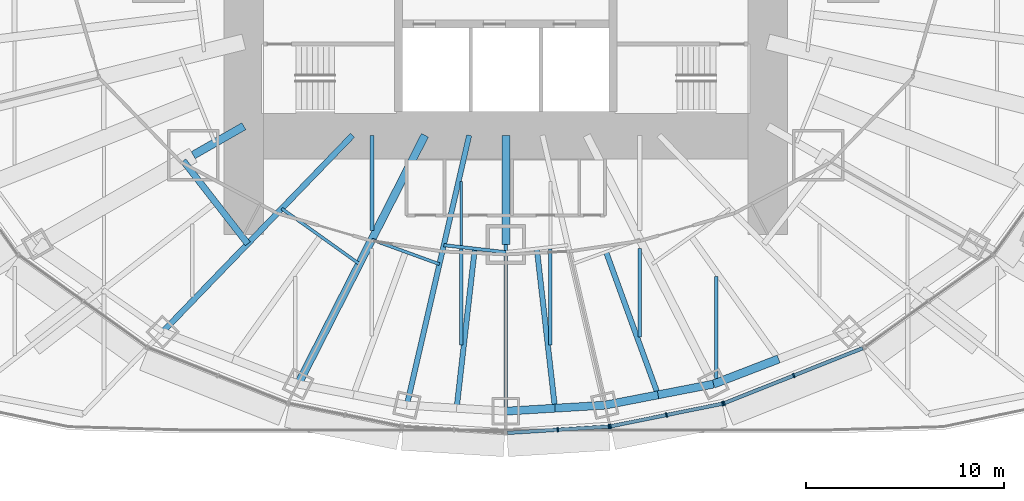
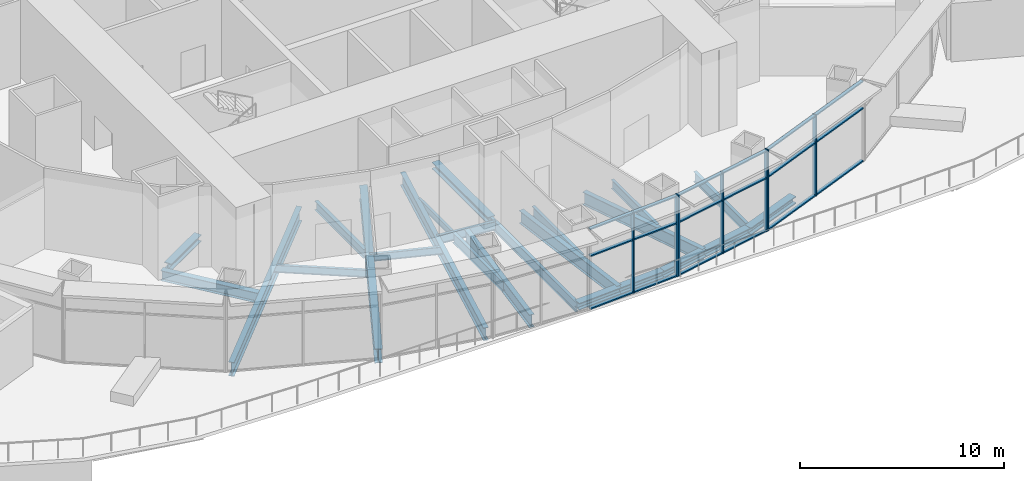
# One storey, part 4 of 25: 25 members, 24 beams, 3 elements without a shape of their own.
"""IFC4 building model written with IfcOpenShell, lengths in metres."""

from ifc_helpers import new_model, si_unit, direction, frame, origin, origin_2d, place, context, subcontext, project, spatial, rectangle, i_section, extrude, material, material_profile, profile_set, type_object, element, aggregate, save


model = new_model("IFC4")

# Units and contexts
model_context = context("Model", 3, precision=1e-05, world=origin(), true_north=direction((0.0, 1.0)))
body_context = subcontext(model_context, "Body", "Model", "MODEL_VIEW")
ifc_project = project(units=[si_unit("LENGTHUNIT", "METRE"), si_unit("AREAUNIT", "SQUARE_METRE"), si_unit("VOLUMEUNIT", "CUBIC_METRE"), si_unit("PLANEANGLEUNIT", "RADIAN"), si_unit("MASSUNIT", "GRAM", prefix="KILO")], contexts=[model_context])

# Site, building, storey
site_placement = place(None, origin())
site = spatial("IfcSite", under=ifc_project, at=site_placement, CompositionType="ELEMENT")
building_placement = place(site_placement, origin())
building = spatial("IfcBuilding", under=site, at=building_placement, Name="Lantaw Convention Tower", CompositionType="ELEMENT")
storey_placement = place(building_placement, frame((0.0, 0.0, 32.0)))
storey = spatial("IfcBuildingStorey", under=building, at=storey_placement, Name="L05", CompositionType="ELEMENT", Elevation=32.0)

# Beams
ifc_material_1 = material(Name="Steel ASTM A992", Category="steel")
ifc_material_profile_1 = material_profile(ifc_material_1, i_section(OverallWidth=0.40380859375, OverallDepth=0.406494140625, WebThickness=0.027099609375, FlangeThickness=0.043701171875, FilletRadius=0.01513671875, at=origin_2d()), Name="W14X233")
ifc_profile_set_1 = profile_set([ifc_material_profile_1], Name="Steel ASTM A992")
beam_type_1 = type_object("IfcBeamType", Name="Beam E W14X233", PredefinedType="SPANDREL", material=ifc_profile_set_1)
beam_1_placement = place(storey_placement, frame((0.0, -21.89990234375, -0.4033203125), z_axis=(0.998175328335, 0.060382231685, 0.0), x_axis=(-0.060382231685, 0.998175328335, 0.0)))
element("IfcBeam", 1, at=beam_1_placement, inside=storey, type_object=beam_type_1, Name="Edge beam 19", PredefinedType="SPANDREL", context=body_context, shape_type="SweptSolid", body=[
    extrude(i_section(OverallWidth=0.40380859375, OverallDepth=0.406494140625, WebThickness=0.027099609375, FlangeThickness=0.043701171875, FilletRadius=0.01513671875, at=origin_2d()), origin(), (0.0, 0.0, 1.0), 2.482666015625),
])
beam_2_placement = place(storey_placement, frame((2.47802734375, -21.75, -0.4033203125), z_axis=(0.998172405641, 0.060430527186, 0.0), x_axis=(-0.060430527186, 0.998172405641, 0.0)))
element("IfcBeam", 2, at=beam_2_placement, inside=storey, type_object=beam_type_1, Name="Edge beam 19", PredefinedType="SPANDREL", context=body_context, shape_type="SweptSolid", body=[
    extrude(i_section(OverallWidth=0.40380859375, OverallDepth=0.406494140625, WebThickness=0.027099609375, FlangeThickness=0.043701171875, FilletRadius=0.01513671875, at=origin_2d()), origin(), (0.0, 0.0, 1.0), 2.512939453125),
])
beam_3_placement = place(storey_placement, frame((4.986328125, -21.59814453125, -0.4033203125), z_axis=(0.981637218105, 0.190757364289, 0.0), x_axis=(-0.190757364289, 0.981637218105, 0.0)))
element("IfcBeam", 3, at=beam_3_placement, inside=storey, type_object=beam_type_1, Name="Edge beam 20", PredefinedType="SPANDREL", context=body_context, shape_type="SweptSolid", body=[
    extrude(i_section(OverallWidth=0.40380859375, OverallDepth=0.406494140625, WebThickness=0.027099609375, FlangeThickness=0.043701171875, FilletRadius=0.01513671875, at=origin_2d()), origin(), (0.0, 0.0, 1.0), 2.735107421875),
])
beam_4_placement = place(storey_placement, frame((7.671142578125, -21.076416015625, -0.4033203125), z_axis=(0.98163593748, 0.190763954266, 0.0), x_axis=(-0.190763954266, 0.98163593748, 0.0)))
element("IfcBeam", 4, at=beam_4_placement, inside=storey, type_object=beam_type_1, Name="Edge beam 20", PredefinedType="SPANDREL", context=body_context, shape_type="SweptSolid", body=[
    extrude(i_section(OverallWidth=0.40380859375, OverallDepth=0.406494140625, WebThickness=0.027099609375, FlangeThickness=0.043701171875, FilletRadius=0.01513671875, at=origin_2d()), origin(), (0.0, 0.0, 1.0), 2.84375),
])
ifc_material_profile_2 = material_profile(ifc_material_1, i_section(OverallWidth=0.41650390625, OverallDepth=0.444580078125, WebThickness=0.0390625, FlangeThickness=0.062744140625, FilletRadius=0.01513671875, at=origin_2d()), Name="W14X342")
ifc_profile_set_2 = profile_set([ifc_material_profile_2], Name="Steel ASTM A992")
beam_type_2 = type_object("IfcBeamType", Name="Beam E W14X342", PredefinedType="SPANDREL", material=ifc_profile_set_2)
beam_5_placement = place(storey_placement, frame((10.462646484375, -20.533935546875, -0.42236328125), z_axis=(0.933241815012, 0.359248820058, 0.0), x_axis=(-0.359248820058, 0.933241815012, 0.0)))
element("IfcBeam", 5, at=beam_5_placement, inside=storey, type_object=beam_type_2, Name="Edge beam 21", PredefinedType="SPANDREL", context=body_context, shape_type="SweptSolid", body=[
    extrude(i_section(OverallWidth=0.41650390625, OverallDepth=0.444580078125, WebThickness=0.0390625, FlangeThickness=0.062744140625, FilletRadius=0.01513671875, at=origin_2d()), origin(), (0.0, 0.0, 1.0), 3.517578125),
])
ifc_material_profile_3 = material_profile(ifc_material_1, i_section(OverallWidth=0.177978515625, OverallDepth=0.599365234375, WebThickness=0.010009765625, FlangeThickness=0.012939453125, FilletRadius=0.012939453125, at=origin_2d()), Name="W24X55")
ifc_profile_set_3 = profile_set([ifc_material_profile_3], Name="Steel ASTM A992")
beam_type_3 = type_object("IfcBeamType", Name="Beam G W24X55", PredefinedType="BEAM", material=ifc_profile_set_3)
beam_6_placement = place(storey_placement, frame((0.0, -13.5, -0.499755859375), z_axis=(0.0, -1.0, 0.0), x_axis=(1.0, 0.0, 0.0)))
element("IfcBeam", 6, at=beam_6_placement, inside=storey, type_object=beam_type_3, Name="Floor girder on ray 19", PredefinedType="BEAM", context=body_context, shape_type="SweptSolid", body=[
    extrude(i_section(OverallWidth=0.177978515625, OverallDepth=0.599365234375, WebThickness=0.010009765625, FlangeThickness=0.012939453125, FilletRadius=0.012939453125, at=origin_2d()), origin(), (0.0, 0.0, 1.0), 8.39990234375),
])
ifc_material_profile_4 = material_profile(ifc_material_1, i_section(OverallWidth=0.2666015625, OverallDepth=0.7568359375, WebThickness=0.013916015625, FlangeThickness=0.019287109375, FilletRadius=0.0126953125, at=origin_2d()), Name="W30X108")
ifc_profile_set_4 = profile_set([ifc_material_profile_4], Name="Steel ASTM A992")
beam_type_4 = type_object("IfcBeamType", Name="Beam G W30X108", PredefinedType="BEAM", material=ifc_profile_set_4)
beam_7_placement = place(storey_placement, frame((1.5625, -13.713134765625, -0.578369140625), z_axis=(0.113183957156, -0.993574049501, 0.0), x_axis=(0.993574049501, 0.113183957156, 0.0)))
element("IfcBeam", 7, at=beam_7_placement, inside=storey, type_object=beam_type_4, Name="Floor girder on bisector 19", PredefinedType="BEAM", context=body_context, shape_type="SweptSolid", body=[
    extrude(i_section(OverallWidth=0.2666015625, OverallDepth=0.7568359375, WebThickness=0.013916015625, FlangeThickness=0.019287109375, FilletRadius=0.0126953125, at=origin_2d()), origin(), (0.0, 0.0, 1.0), 8.0888671875),
])
ifc_material_profile_5 = material_profile(ifc_material_1, i_section(OverallWidth=0.2666015625, OverallDepth=0.76953125, WebThickness=0.015625, FlangeThickness=0.025390625, FilletRadius=0.0126953125, at=origin_2d()), Name="W30X132")
ifc_profile_set_5 = profile_set([ifc_material_profile_5], Name="Steel ASTM A992")
beam_type_5 = type_object("IfcBeamType", Name="Beam G W30X132", PredefinedType="BEAM", material=ifc_profile_set_5)
beam_8_placement = place(storey_placement, frame((-1.846923828125, -8.0, -0.584716796875), z_axis=(-0.224952773175, -0.97436966796, 0.0), x_axis=(0.97436966796, -0.224952773175, 0.0)))
element("IfcBeam", 8, at=beam_8_placement, inside=storey, type_object=beam_type_5, Name="Floor girder on ray 18", PredefinedType="BEAM", context=body_context, shape_type="SweptSolid", body=[
    extrude(i_section(OverallWidth=0.2666015625, OverallDepth=0.76953125, WebThickness=0.015625, FlangeThickness=0.025390625, FilletRadius=0.0126953125, at=origin_2d()), origin(), (0.0, 0.0, 1.0), 13.955810546875),
])
beam_9_placement = place(storey_placement, frame((-1.5625, -13.713134765625, -0.584716796875), z_axis=(-0.113183957156, -0.993574049501, 0.0), x_axis=(0.993574049501, -0.113183957156, 0.0)))
element("IfcBeam", 9, at=beam_9_placement, inside=storey, type_object=beam_type_5, Name="Floor girder on bisector 18", PredefinedType="BEAM", context=body_context, shape_type="SweptSolid", body=[
    extrude(i_section(OverallWidth=0.2666015625, OverallDepth=0.76953125, WebThickness=0.015625, FlangeThickness=0.025390625, FilletRadius=0.0126953125, at=origin_2d()), origin(), (0.0, 0.0, 1.0), 8.0888671875),
])
beam_10_placement = place(storey_placement, frame((5.04931640625, -13.873046875, -0.584716796875), z_axis=(0.342021781151, -0.939692024664, 0.0), x_axis=(0.939692024664, 0.342021781151, 0.0)))
element("IfcBeam", 10, at=beam_10_placement, inside=storey, type_object=beam_type_5, Name="Floor girder on bisector 20", PredefinedType="BEAM", context=body_context, shape_type="SweptSolid", body=[
    extrude(i_section(OverallWidth=0.2666015625, OverallDepth=0.76953125, WebThickness=0.015625, FlangeThickness=0.025390625, FilletRadius=0.0126953125, at=origin_2d()), origin(), (0.0, 0.0, 1.0), 7.665771484375),
])
ifc_material_profile_6 = material_profile(ifc_material_1, i_section(OverallWidth=0.2919921875, OverallDepth=0.845703125, WebThickness=0.015380859375, FlangeThickness=0.0244140625, FilletRadius=0.01513671875, at=origin_2d()), Name="W33X141")
ifc_profile_set_6 = profile_set([ifc_material_profile_6], Name="Steel ASTM A992")
beam_type_6 = type_object("IfcBeamType", Name="Beam G W33X141", PredefinedType="BEAM", material=ifc_profile_set_6)
beam_11_placement = place(storey_placement, frame((-7.7255859375, -8.0, -0.622802734375), z_axis=(-0.694649884291, -0.719347995239, 0.0), x_axis=(0.719347995239, -0.694649884291, 0.0)))
element("IfcBeam", 11, at=beam_11_placement, inside=storey, type_object=beam_type_6, Name="Floor girder on ray 16", PredefinedType="BEAM", context=body_context, shape_type="SweptSolid", body=[
    extrude(i_section(OverallWidth=0.2919921875, OverallDepth=0.845703125, WebThickness=0.015380859375, FlangeThickness=0.0244140625, FilletRadius=0.01513671875, at=origin_2d()), origin(), (0.0, 0.0, 1.0), 13.769775390625),
])
ifc_material_profile_7 = material_profile(ifc_material_1, i_section(OverallWidth=0.398681640625, OverallDepth=0.85595703125, WebThickness=0.01806640625, FlangeThickness=0.029296875, FilletRadius=0.016357421875, at=origin_2d()), Name="W33X201")
ifc_profile_set_7 = profile_set([ifc_material_profile_7], Name="Steel ASTM A992")
beam_type_7 = type_object("IfcBeamType", Name="Beam G W33X201", PredefinedType="BEAM", material=ifc_profile_set_7)
beam_12_placement = place(storey_placement, frame((-4.076171875, -8.0, -0.6279296875), z_axis=(-0.453997016122, -0.891003203896, 0.0), x_axis=(0.891003203896, -0.453997016122, 0.0)))
element("IfcBeam", 12, at=beam_12_placement, inside=storey, type_object=beam_type_7, Name="Floor girder on ray 17", PredefinedType="BEAM", context=body_context, shape_type="SweptSolid", body=[
    extrude(i_section(OverallWidth=0.398681640625, OverallDepth=0.85595703125, WebThickness=0.01806640625, FlangeThickness=0.029296875, FilletRadius=0.016357421875, at=origin_2d()), origin(), (0.0, 0.0, 1.0), 14.067138671875),
])
ifc_material_profile_8 = material_profile(ifc_material_1, i_section(OverallWidth=0.40380859375, OverallDepth=0.406494140625, WebThickness=0.027099609375, FlangeThickness=0.043701171875, FilletRadius=0.01513671875, at=origin_2d()), Name="W14X233")
ifc_profile_set_8 = profile_set([ifc_material_profile_8], Name="Steel ASTM A992")
beam_type_8 = type_object("IfcBeamType", Name="Beam GM W14X233", PredefinedType="BEAM", material=ifc_profile_set_8)
beam_13_placement = place(storey_placement, frame((-13.199951171875, -7.54296875, -0.4033203125), z_axis=(-0.868263603466, -0.496103129295, 0.0), x_axis=(0.496103129295, -0.868263603466, 0.0)))
element("IfcBeam", 13, at=beam_13_placement, inside=storey, type_object=beam_type_8, Name="Core link beam on ray 15", PredefinedType="BEAM", context=body_context, shape_type="SweptSolid", body=[
    extrude(i_section(OverallWidth=0.40380859375, OverallDepth=0.406494140625, WebThickness=0.027099609375, FlangeThickness=0.043701171875, FilletRadius=0.01513671875, at=origin_2d()), origin(), (0.0, 0.0, 1.0), 2.93701171875),
])
beam_14_placement = place(storey_placement, frame((0.0, -8.0, -0.4033203125), z_axis=(0.0, -1.0, 0.0), x_axis=(1.0, 0.0, 0.0)))
element("IfcBeam", 14, at=beam_14_placement, inside=storey, type_object=beam_type_8, Name="Core link beam on ray 19", PredefinedType="BEAM", context=body_context, shape_type="SweptSolid", body=[
    extrude(i_section(OverallWidth=0.40380859375, OverallDepth=0.406494140625, WebThickness=0.027099609375, FlangeThickness=0.043701171875, FilletRadius=0.01513671875, at=origin_2d()), origin(), (0.0, 0.0, 1.0), 5.5),
])
ifc_material_profile_9 = material_profile(ifc_material_1, i_section(OverallWidth=0.15234375, OverallDepth=0.449462890625, WebThickness=0.007568359375, FlangeThickness=0.0107421875, FilletRadius=0.01025390625, at=origin_2d()), Name="W18X35")
ifc_profile_set_9 = profile_set([ifc_material_profile_9], Name="Steel ASTM A992")
beam_type_9 = type_object("IfcBeamType", Name="Beam HC W18X35", PredefinedType="BEAM", material=ifc_profile_set_9)
beam_15_placement = place(storey_placement, frame((-11.291748046875, -11.69287109375, -0.4248046875), z_axis=(0.814110909588, -0.580709416912, 0.0), x_axis=(0.580709416912, 0.814110909588, 0.0)))
element("IfcBeam", 15, at=beam_15_placement, inside=storey, type_object=beam_type_9, Name="Collar beam on bisector 16", PredefinedType="BEAM", context=body_context, shape_type="SweptSolid", body=[
    extrude(i_section(OverallWidth=0.15234375, OverallDepth=0.449462890625, WebThickness=0.007568359375, FlangeThickness=0.0107421875, FilletRadius=0.01025390625, at=origin_2d()), origin(), (0.0, 0.0, 1.0), 4.805419921875),
])
beam_16_placement = place(storey_placement, frame((-6.752685546875, -13.253173828125, -0.4248046875), z_axis=(0.939689171859, -0.342029619025, 0.0), x_axis=(0.342029619025, 0.939689171859, 0.0)))
element("IfcBeam", 16, at=beam_16_placement, inside=storey, type_object=beam_type_9, Name="Collar beam on bisector 17", PredefinedType="BEAM", context=body_context, shape_type="SweptSolid", body=[
    extrude(i_section(OverallWidth=0.15234375, OverallDepth=0.449462890625, WebThickness=0.007568359375, FlangeThickness=0.0107421875, FilletRadius=0.01025390625, at=origin_2d()), origin(), (0.0, 0.0, 1.0), 3.62548828125),
])
ifc_material_profile_10 = material_profile(ifc_material_1, i_section(OverallWidth=0.165771484375, OverallDepth=0.5283203125, WebThickness=0.009765625, FlangeThickness=0.013671875, FilletRadius=0.012939453125, at=origin_2d()), Name="W21X50")
ifc_profile_set_10 = profile_set([ifc_material_profile_10], Name="Steel ASTM A992")
beam_type_10 = type_object("IfcBeamType", Name="Beam HC W21X50", PredefinedType="BEAM", material=ifc_profile_set_10)
beam_17_placement = place(storey_placement, frame((-3.124755859375, -13.534912109375, -0.464111328125), z_axis=(0.99356540907, -0.113259780595, 0.0), x_axis=(0.113259780595, 0.99356540907, 0.0)))
element("IfcBeam", 17, at=beam_17_placement, inside=storey, type_object=beam_type_10, Name="Collar beam on bisector 18", PredefinedType="BEAM", context=body_context, shape_type="SweptSolid", body=[
    extrude(i_section(OverallWidth=0.165771484375, OverallDepth=0.5283203125, WebThickness=0.009765625, FlangeThickness=0.013671875, FilletRadius=0.012939453125, at=origin_2d()), origin(), (0.0, 0.0, 1.0), 3.14501953125),
])
ifc_material_profile_11 = material_profile(ifc_material_1, i_section(OverallWidth=0.3251953125, OverallDepth=0.612060546875, WebThickness=0.0126953125, FlangeThickness=0.01904296875, FilletRadius=0.0126953125, at=origin_2d()), Name="W24X104")
ifc_profile_set_11 = profile_set([ifc_material_profile_11], Name="Steel ASTM A992")
beam_type_11 = type_object("IfcBeamType", Name="Beam HC W24X104", PredefinedType="BEAM", material=ifc_profile_set_11)
beam_18_placement = place(storey_placement, frame((-16.2529296875, -9.287353515625, -0.506103515625), z_axis=(0.613915067401, -0.789372085913, 0.0), x_axis=(0.789372085913, 0.613915067401, 0.0)))
element("IfcBeam", 18, at=beam_18_placement, inside=storey, type_object=beam_type_11, Name="Collar beam on bisector 15", PredefinedType="BEAM", context=body_context, shape_type="SweptSolid", body=[
    extrude(i_section(OverallWidth=0.3251953125, OverallDepth=0.612060546875, WebThickness=0.0126953125, FlangeThickness=0.01904296875, FilletRadius=0.0126953125, at=origin_2d()), origin(), (0.0, 0.0, 1.0), 5.293212890625),
])
ifc_material_profile_12 = material_profile(ifc_material_1, i_section(OverallWidth=0.140380859375, OverallDepth=0.40380859375, WebThickness=0.007080078125, FlangeThickness=0.01123046875, FilletRadius=0.01025390625, at=origin_2d()), Name="W16X31")
ifc_profile_set_12 = profile_set([ifc_material_profile_12], Name="Steel ASTM A992")
beam_type_12 = type_object("IfcBeamType", Name="Beam J W16X31", PredefinedType="JOIST", material=ifc_profile_set_12)
beam_19_placement = place(storey_placement, frame((-2.25, -13.55126953125, -0.40185546875), z_axis=(0.0, 1.0, 0.0), x_axis=(-1.0, 0.0, 0.0)))
element("IfcBeam", 19, at=beam_19_placement, inside=storey, type_object=beam_type_12, Name="Floor joist", PredefinedType="JOIST", context=body_context, shape_type="SweptSolid", body=[
    extrude(i_section(OverallWidth=0.140380859375, OverallDepth=0.40380859375, WebThickness=0.007080078125, FlangeThickness=0.01123046875, FilletRadius=0.01025390625, at=origin_2d()), origin(), (0.0, 0.0, 1.0), 3.212646484375),
])
ifc_material_profile_13 = material_profile(ifc_material_1, i_section(OverallWidth=0.1650390625, OverallDepth=0.52587890625, WebThickness=0.0087890625, FlangeThickness=0.011474609375, FilletRadius=0.0126953125, at=origin_2d()), Name="W21X44")
ifc_profile_set_13 = profile_set([ifc_material_profile_13], Name="Steel ASTM A992")
beam_type_13 = type_object("IfcBeamType", Name="Beam J W21X44", PredefinedType="JOIST", material=ifc_profile_set_13)
beam_20_placement = place(storey_placement, frame((6.75, -18.155517578125, -0.462890625), z_axis=(0.0, 1.0, 0.0), x_axis=(-1.0, 0.0, 0.0)))
element("IfcBeam", 20, at=beam_20_placement, inside=storey, type_object=beam_type_13, Name="Floor joist", PredefinedType="JOIST", context=body_context, shape_type="SweptSolid", body=[
    extrude(i_section(OverallWidth=0.1650390625, OverallDepth=0.52587890625, WebThickness=0.0087890625, FlangeThickness=0.011474609375, FilletRadius=0.0126953125, at=origin_2d()), origin(), (0.0, 0.0, 1.0), 4.462158203125),
])
ifc_material_profile_14 = material_profile(ifc_material_1, i_section(OverallWidth=0.209228515625, OverallDepth=0.533447265625, WebThickness=0.01025390625, FlangeThickness=0.015625, FilletRadius=0.012939453125, at=origin_2d()), Name="W21X62")
ifc_profile_set_14 = profile_set([ifc_material_profile_14], Name="Steel ASTM A992")
beam_type_14 = type_object("IfcBeamType", Name="Beam J W21X62", PredefinedType="JOIST", material=ifc_profile_set_14)
beam_21_placement = place(storey_placement, frame((-6.75, -12.808349609375, -0.466796875), z_axis=(0.0, 1.0, 0.0), x_axis=(-1.0, 0.0, 0.0)))
element("IfcBeam", 21, at=beam_21_placement, inside=storey, type_object=beam_type_14, Name="Floor joist", PredefinedType="JOIST", context=body_context, shape_type="SweptSolid", body=[
    extrude(i_section(OverallWidth=0.209228515625, OverallDepth=0.533447265625, WebThickness=0.01025390625, FlangeThickness=0.015625, FilletRadius=0.012939453125, at=origin_2d()), origin(), (0.0, 0.0, 1.0), 4.808349609375),
])
ifc_material_profile_15 = material_profile(ifc_material_1, i_section(OverallWidth=0.177978515625, OverallDepth=0.599365234375, WebThickness=0.010009765625, FlangeThickness=0.012939453125, FilletRadius=0.012939453125, at=origin_2d()), Name="W24X55")
ifc_profile_set_15 = profile_set([ifc_material_profile_15], Name="Steel ASTM A992")
beam_type_15 = type_object("IfcBeamType", Name="Beam J W24X55", PredefinedType="JOIST", material=ifc_profile_set_15)
for number, where, z_axis, x_axis, name in (
    (22, (-2.25, -18.570068359375, -0.499755859375), (0.0, 1.0, 0.0), (-1.0, 0.0, 0.0), "Floor joist"),
    (23, (2.25, -18.570068359375, -0.499755859375), (0.0, 1.0, 0.0), (-1.0, 0.0, 0.0), "Floor joist"),
):
    element("IfcBeam", number, at=place(storey_placement, frame(where, z_axis=z_axis, x_axis=x_axis)), inside=storey, type_object=beam_type_15, Name=name, PredefinedType="JOIST", context=body_context, shape_type="SweptSolid", body=[
        extrude(i_section(OverallWidth=0.177978515625, OverallDepth=0.599365234375, WebThickness=0.010009765625, FlangeThickness=0.012939453125, FilletRadius=0.012939453125, at=origin_2d()), origin(), (0.0, 0.0, 1.0), 4.851806640625),
    ])
beam_22_placement = place(storey_placement, frame((10.60009765625, -20.2578125, -0.499755859375), z_axis=(0.0, 1.0, 0.0), x_axis=(-1.0, 0.0, 0.0)))
element("IfcBeam", 24, at=beam_22_placement, inside=storey, type_object=beam_type_15, Name="Floor joist", PredefinedType="JOIST", context=body_context, shape_type="SweptSolid", body=[
    extrude(i_section(OverallWidth=0.177978515625, OverallDepth=0.599365234375, WebThickness=0.010009765625, FlangeThickness=0.012939453125, FilletRadius=0.012939453125, at=origin_2d()), origin(), (0.0, 0.0, 1.0), 5.145751953125),
])

# Curtain wall, members
ifc_material_2 = material(Name="Aluminium framed curtain wall", Category="aluminium")
curtain_wall_type = type_object("IfcCurtainWallType", Name="Sky lobby curtain wall L05, pale aluminium", PredefinedType="USERDEFINED", material=ifc_material_2)
curtain_wall_1_placement = place(storey_placement, origin())
curtain_wall_1 = element("IfcCurtainWall", 25, at=curtain_wall_1_placement, inside=storey, type_object=curtain_wall_type, Name="Sky lobby curtain wall L05, pale aluminium L05", ObjectType="STICK CURTAIN WALL", PredefinedType="USERDEFINED")
ifc_material_3 = material(Name="Aluminium 6063-T6", Category="aluminium")
ifc_material_profile_16 = material_profile(ifc_material_3, rectangle(XDim=0.22509765625, YDim=0.074951171875, at=origin_2d()), Name="CW-HL mullion 75x225")
ifc_profile_set_16 = profile_set([ifc_material_profile_16], Name="Aluminium 6063-T6")
member_type_1 = type_object("IfcMemberType", Name="CW-HL mullion 75x225", PredefinedType="MULLION", material=ifc_profile_set_16)
member_1_placement = place(storey_placement, frame((2.616943359375, -22.8349609375, 0.0), z_axis=(0.0, 0.0, 1.0), x_axis=(-0.062958373078, 0.998016153807, 0.0)))
member_1 = element("IfcMember", 26, at=member_1_placement, type_object=member_type_1, Name="CW-HL mullion 2", PredefinedType="MULLION", context=body_context, shape_type="SweptSolid", body=[
    extrude(rectangle(XDim=0.22509765625, YDim=0.074951171875, at=origin_2d()), origin(), (0.0, 0.0, 1.0), 4.85009765625),
])
member_2_placement = place(storey_placement, frame((5.1962890625, -22.672119140625, 0.0), z_axis=(0.0, 0.0, 1.0), x_axis=(-0.062958373078, 0.998016153807, 0.0)))
member_2 = element("IfcMember", 27, at=member_2_placement, type_object=member_type_1, Name="CW-HL mullion 3", PredefinedType="MULLION", context=body_context, shape_type="SweptSolid", body=[
    extrude(rectangle(XDim=0.22509765625, YDim=0.074951171875, at=origin_2d()), origin(), (0.0, 0.0, 1.0), 4.85009765625),
])

curtain_wall_2_placement = place(storey_placement, origin())
curtain_wall_2 = element("IfcCurtainWall", 28, at=curtain_wall_2_placement, inside=storey, type_object=curtain_wall_type, Name="Sky lobby curtain wall L05, pale aluminium L05", ObjectType="STICK CURTAIN WALL", PredefinedType="USERDEFINED")
member_3_placement = place(storey_placement, frame((5.2705078125, -22.662353515625, 0.0), z_axis=(0.0, 0.0, 1.0), x_axis=(-0.197789067813, 0.980244604501, 0.0)))
member_3 = element("IfcMember", 29, at=member_3_placement, type_object=member_type_1, Name="CW-HL mullion 1", PredefinedType="MULLION", context=body_context, shape_type="SweptSolid", body=[
    extrude(rectangle(XDim=0.22509765625, YDim=0.074951171875, at=origin_2d()), origin(), (0.0, 0.0, 1.0), 4.85009765625),
])
member_4_placement = place(storey_placement, frame((8.097900390625, -22.092041015625, 0.0), z_axis=(0.0, 0.0, 1.0), x_axis=(-0.197789067813, 0.980244604501, 0.0)))
member_4 = element("IfcMember", 30, at=member_4_placement, type_object=member_type_1, Name="CW-HL mullion 2", PredefinedType="MULLION", context=body_context, shape_type="SweptSolid", body=[
    extrude(rectangle(XDim=0.22509765625, YDim=0.074951171875, at=origin_2d()), origin(), (0.0, 0.0, 1.0), 4.85009765625),
])
member_5_placement = place(storey_placement, frame((10.92529296875, -21.521484375, 0.0), z_axis=(0.0, 0.0, 1.0), x_axis=(-0.197789067813, 0.980244604501, 0.0)))
member_5 = element("IfcMember", 31, at=member_5_placement, type_object=member_type_1, Name="CW-HL mullion 3", PredefinedType="MULLION", context=body_context, shape_type="SweptSolid", body=[
    extrude(rectangle(XDim=0.22509765625, YDim=0.074951171875, at=origin_2d()), origin(), (0.0, 0.0, 1.0), 4.85009765625),
])

curtain_wall_3_placement = place(storey_placement, origin())
curtain_wall_3 = element("IfcCurtainWall", 32, at=curtain_wall_3_placement, inside=storey, type_object=curtain_wall_type, Name="Sky lobby curtain wall L05, pale aluminium L05", ObjectType="STICK CURTAIN WALL", PredefinedType="USERDEFINED")
member_6_placement = place(storey_placement, frame((10.996826171875, -21.500244140625, 0.0), z_axis=(0.0, 0.0, 1.0), x_axis=(-0.369171840425, 0.929361152748, 0.0)))
member_6 = element("IfcMember", 33, at=member_6_placement, type_object=member_type_1, Name="CW-HL mullion 1", PredefinedType="MULLION", context=body_context, shape_type="SweptSolid", body=[
    extrude(rectangle(XDim=0.22509765625, YDim=0.074951171875, at=origin_2d()), origin(), (0.0, 0.0, 1.0), 4.85009765625),
])
member_7_placement = place(storey_placement, frame((14.508544921875, -20.105224609375, 0.0), z_axis=(0.0, 0.0, 1.0), x_axis=(-0.369171840425, 0.929361152748, 0.0)))
member_7 = element("IfcMember", 34, at=member_7_placement, type_object=member_type_1, Name="CW-HL mullion 2", PredefinedType="MULLION", context=body_context, shape_type="SweptSolid", body=[
    extrude(rectangle(XDim=0.22509765625, YDim=0.074951171875, at=origin_2d()), origin(), (0.0, 0.0, 1.0), 4.85009765625),
])

# Member
ifc_material_profile_17 = material_profile(ifc_material_3, rectangle(XDim=0.179931640625, YDim=0.074951171875, at=origin_2d()), Name="CW-HL transom 75x180")
ifc_profile_set_17 = profile_set([ifc_material_profile_17], Name="Aluminium 6063-T6")
member_type_2 = type_object("IfcMemberType", Name="CW-HL transom 75x180", PredefinedType="USERDEFINED", material=ifc_profile_set_17)
member_8_placement = place(storey_placement, frame((0.074951171875, -22.995361328125, 0.03759765625), z_axis=(0.998010714043, 0.063044545009, 0.0), x_axis=(-0.063044545009, 0.998010714043, 0.0)))
member_8 = element("IfcMember", 35, at=member_8_placement, type_object=member_type_2, Name="CW-HL transom 1.1", ObjectType="TRANSOM", PredefinedType="USERDEFINED", context=body_context, shape_type="SweptSolid", body=[
    extrude(rectangle(XDim=0.179931640625, YDim=0.074951171875, at=origin_2d()), origin(), (0.0, 0.0, 1.0), 2.50927734375),
])

member_9_placement = place(storey_placement, frame((0.074951171875, -22.995361328125, 3.199951171875), z_axis=(0.998010714043, 0.063044545009, 0.0), x_axis=(-0.063044545009, 0.998010714043, 0.0)))
member_9 = element("IfcMember", 36, at=member_9_placement, type_object=member_type_2, Name="CW-HL transom 1.2", ObjectType="TRANSOM", PredefinedType="USERDEFINED", context=body_context, shape_type="SweptSolid", body=[
    extrude(rectangle(XDim=0.179931640625, YDim=0.074951171875, at=origin_2d()), origin(), (0.0, 0.0, 1.0), 2.50927734375),
])

member_10_placement = place(storey_placement, frame((0.074951171875, -22.995361328125, 4.8125), z_axis=(0.998010714043, 0.063044545009, 0.0), x_axis=(-0.063044545009, 0.998010714043, 0.0)))
member_10 = element("IfcMember", 37, at=member_10_placement, type_object=member_type_2, Name="CW-HL transom 1.3", ObjectType="TRANSOM", PredefinedType="USERDEFINED", context=body_context, shape_type="SweptSolid", body=[
    extrude(rectangle(XDim=0.179931640625, YDim=0.074951171875, at=origin_2d()), origin(), (0.0, 0.0, 1.0), 2.50927734375),
])

member_11_placement = place(storey_placement, frame((2.654296875, -22.83251953125, 0.03759765625), z_axis=(0.998017216291, 0.062941528311, 0.0), x_axis=(-0.062941528311, 0.998017216291, 0.0)))
member_11 = element("IfcMember", 38, at=member_11_placement, type_object=member_type_2, Name="CW-HL transom 2.1", ObjectType="TRANSOM", PredefinedType="USERDEFINED", context=body_context, shape_type="SweptSolid", body=[
    extrude(rectangle(XDim=0.179931640625, YDim=0.074951171875, at=origin_2d()), origin(), (0.0, 0.0, 1.0), 2.509521484375),
])

member_12_placement = place(storey_placement, frame((2.654296875, -22.83251953125, 3.199951171875), z_axis=(0.998017216291, 0.062941528311, 0.0), x_axis=(-0.062941528311, 0.998017216291, 0.0)))
member_12 = element("IfcMember", 39, at=member_12_placement, type_object=member_type_2, Name="CW-HL transom 2.2", ObjectType="TRANSOM", PredefinedType="USERDEFINED", context=body_context, shape_type="SweptSolid", body=[
    extrude(rectangle(XDim=0.179931640625, YDim=0.074951171875, at=origin_2d()), origin(), (0.0, 0.0, 1.0), 2.509521484375),
])

member_13_placement = place(storey_placement, frame((2.654296875, -22.83251953125, 4.8125), z_axis=(0.998017216291, 0.062941528311, 0.0), x_axis=(-0.062941528311, 0.998017216291, 0.0)))
member_13 = element("IfcMember", 40, at=member_13_placement, type_object=member_type_2, Name="CW-HL transom 2.3", ObjectType="TRANSOM", PredefinedType="USERDEFINED", context=body_context, shape_type="SweptSolid", body=[
    extrude(rectangle(XDim=0.179931640625, YDim=0.074951171875, at=origin_2d()), origin(), (0.0, 0.0, 1.0), 2.509521484375),
])

aggregate(curtain_wall_1, [member_1, member_2, member_8, member_9, member_10, member_11, member_12, member_13])

member_14_placement = place(storey_placement, frame((5.307373046875, -22.655029296875, 0.03759765625), z_axis=(0.980241616431, 0.197803876141, 0.0), x_axis=(-0.197803876141, 0.980241616431, 0.0)))
member_14 = element("IfcMember", 41, at=member_14_placement, type_object=member_type_2, Name="CW-HL transom 1.1", ObjectType="TRANSOM", PredefinedType="USERDEFINED", context=body_context, shape_type="SweptSolid", body=[
    extrude(rectangle(XDim=0.179931640625, YDim=0.074951171875, at=origin_2d()), origin(), (0.0, 0.0, 1.0), 2.80908203125),
])

member_15_placement = place(storey_placement, frame((5.307373046875, -22.655029296875, 3.199951171875), z_axis=(0.980241616431, 0.197803876141, 0.0), x_axis=(-0.197803876141, 0.980241616431, 0.0)))
member_15 = element("IfcMember", 42, at=member_15_placement, type_object=member_type_2, Name="CW-HL transom 1.2", ObjectType="TRANSOM", PredefinedType="USERDEFINED", context=body_context, shape_type="SweptSolid", body=[
    extrude(rectangle(XDim=0.179931640625, YDim=0.074951171875, at=origin_2d()), origin(), (0.0, 0.0, 1.0), 2.80908203125),
])

member_16_placement = place(storey_placement, frame((5.307373046875, -22.655029296875, 4.8125), z_axis=(0.980241616431, 0.197803876141, 0.0), x_axis=(-0.197803876141, 0.980241616431, 0.0)))
member_16 = element("IfcMember", 43, at=member_16_placement, type_object=member_type_2, Name="CW-HL transom 1.3", ObjectType="TRANSOM", PredefinedType="USERDEFINED", context=body_context, shape_type="SweptSolid", body=[
    extrude(rectangle(XDim=0.179931640625, YDim=0.074951171875, at=origin_2d()), origin(), (0.0, 0.0, 1.0), 2.80908203125),
])

member_17_placement = place(storey_placement, frame((8.134521484375, -22.08447265625, 0.03759765625), z_axis=(0.980245016413, 0.197787026361, 0.0), x_axis=(-0.197787026361, 0.980245016413, 0.0)))
member_17 = element("IfcMember", 44, at=member_17_placement, type_object=member_type_2, Name="CW-HL transom 2.1", ObjectType="TRANSOM", PredefinedType="USERDEFINED", context=body_context, shape_type="SweptSolid", body=[
    extrude(rectangle(XDim=0.179931640625, YDim=0.074951171875, at=origin_2d()), origin(), (0.0, 0.0, 1.0), 2.809326171875),
])

member_18_placement = place(storey_placement, frame((8.134521484375, -22.08447265625, 3.199951171875), z_axis=(0.980245016413, 0.197787026361, 0.0), x_axis=(-0.197787026361, 0.980245016413, 0.0)))
member_18 = element("IfcMember", 45, at=member_18_placement, type_object=member_type_2, Name="CW-HL transom 2.2", ObjectType="TRANSOM", PredefinedType="USERDEFINED", context=body_context, shape_type="SweptSolid", body=[
    extrude(rectangle(XDim=0.179931640625, YDim=0.074951171875, at=origin_2d()), origin(), (0.0, 0.0, 1.0), 2.809326171875),
])

member_19_placement = place(storey_placement, frame((8.134521484375, -22.08447265625, 4.8125), z_axis=(0.980245016413, 0.197787026361, 0.0), x_axis=(-0.197787026361, 0.980245016413, 0.0)))
member_19 = element("IfcMember", 46, at=member_19_placement, type_object=member_type_2, Name="CW-HL transom 2.3", ObjectType="TRANSOM", PredefinedType="USERDEFINED", context=body_context, shape_type="SweptSolid", body=[
    extrude(rectangle(XDim=0.179931640625, YDim=0.074951171875, at=origin_2d()), origin(), (0.0, 0.0, 1.0), 2.809326171875),
])

aggregate(curtain_wall_2, [member_3, member_4, member_5, member_14, member_15, member_16, member_17, member_18, member_19])

member_20_placement = place(storey_placement, frame((11.03173828125, -21.486328125, 0.03759765625), z_axis=(0.929365098875, 0.369161906206, 0.0), x_axis=(-0.369161906206, 0.929365098875, 0.0)))
member_20 = element("IfcMember", 47, at=member_20_placement, type_object=member_type_2, Name="CW-HL transom 1.1", ObjectType="TRANSOM", PredefinedType="USERDEFINED", context=body_context, shape_type="SweptSolid", body=[
    extrude(rectangle(XDim=0.179931640625, YDim=0.074951171875, at=origin_2d()), origin(), (0.0, 0.0, 1.0), 3.703369140625),
])

member_21_placement = place(storey_placement, frame((11.03173828125, -21.486328125, 3.199951171875), z_axis=(0.929365098875, 0.369161906206, 0.0), x_axis=(-0.369161906206, 0.929365098875, 0.0)))
member_21 = element("IfcMember", 48, at=member_21_placement, type_object=member_type_2, Name="CW-HL transom 1.2", ObjectType="TRANSOM", PredefinedType="USERDEFINED", context=body_context, shape_type="SweptSolid", body=[
    extrude(rectangle(XDim=0.179931640625, YDim=0.074951171875, at=origin_2d()), origin(), (0.0, 0.0, 1.0), 3.703369140625),
])

member_22_placement = place(storey_placement, frame((11.03173828125, -21.486328125, 4.8125), z_axis=(0.929365098875, 0.369161906206, 0.0), x_axis=(-0.369161906206, 0.929365098875, 0.0)))
member_22 = element("IfcMember", 49, at=member_22_placement, type_object=member_type_2, Name="CW-HL transom 1.3", ObjectType="TRANSOM", PredefinedType="USERDEFINED", context=body_context, shape_type="SweptSolid", body=[
    extrude(rectangle(XDim=0.179931640625, YDim=0.074951171875, at=origin_2d()), origin(), (0.0, 0.0, 1.0), 3.703369140625),
])

member_23_placement = place(storey_placement, frame((14.543212890625, -20.09130859375, 0.03759765625), z_axis=(0.929374081901, 0.369139290634, 0.0), x_axis=(-0.369139290634, 0.929374081901, 0.0)))
member_23 = element("IfcMember", 50, at=member_23_placement, type_object=member_type_2, Name="CW-HL transom 2.1", ObjectType="TRANSOM", PredefinedType="USERDEFINED", context=body_context, shape_type="SweptSolid", body=[
    extrude(rectangle(XDim=0.179931640625, YDim=0.074951171875, at=origin_2d()), origin(), (0.0, 0.0, 1.0), 3.70361328125),
])

member_24_placement = place(storey_placement, frame((14.543212890625, -20.09130859375, 3.199951171875), z_axis=(0.929374081901, 0.369139290634, 0.0), x_axis=(-0.369139290634, 0.929374081901, 0.0)))
member_24 = element("IfcMember", 51, at=member_24_placement, type_object=member_type_2, Name="CW-HL transom 2.2", ObjectType="TRANSOM", PredefinedType="USERDEFINED", context=body_context, shape_type="SweptSolid", body=[
    extrude(rectangle(XDim=0.179931640625, YDim=0.074951171875, at=origin_2d()), origin(), (0.0, 0.0, 1.0), 3.70361328125),
])

member_25_placement = place(storey_placement, frame((14.543212890625, -20.09130859375, 4.8125), z_axis=(0.929374081901, 0.369139290634, 0.0), x_axis=(-0.369139290634, 0.929374081901, 0.0)))
member_25 = element("IfcMember", 52, at=member_25_placement, type_object=member_type_2, Name="CW-HL transom 2.3", ObjectType="TRANSOM", PredefinedType="USERDEFINED", context=body_context, shape_type="SweptSolid", body=[
    extrude(rectangle(XDim=0.179931640625, YDim=0.074951171875, at=origin_2d()), origin(), (0.0, 0.0, 1.0), 3.70361328125),
])

aggregate(curtain_wall_3, [member_6, member_7, member_20, member_21, member_22, member_23, member_24, member_25])

save(model, "model.ifc")
